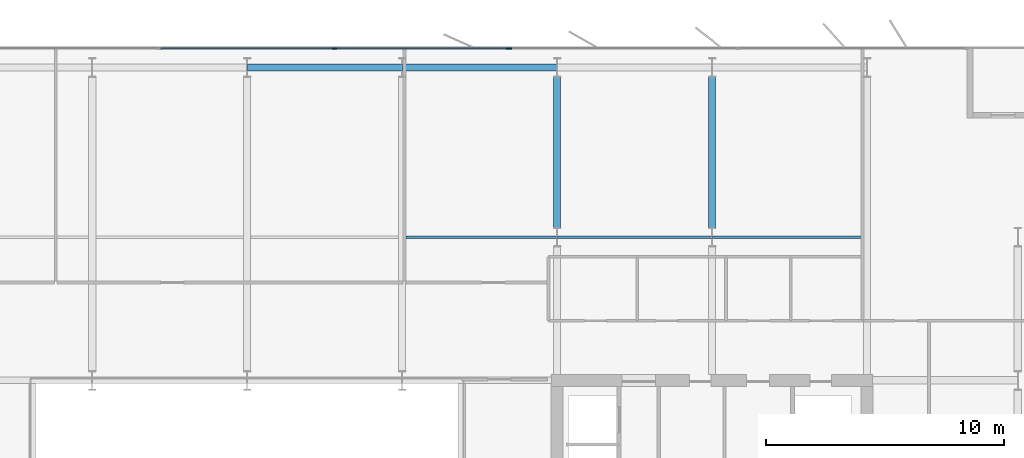
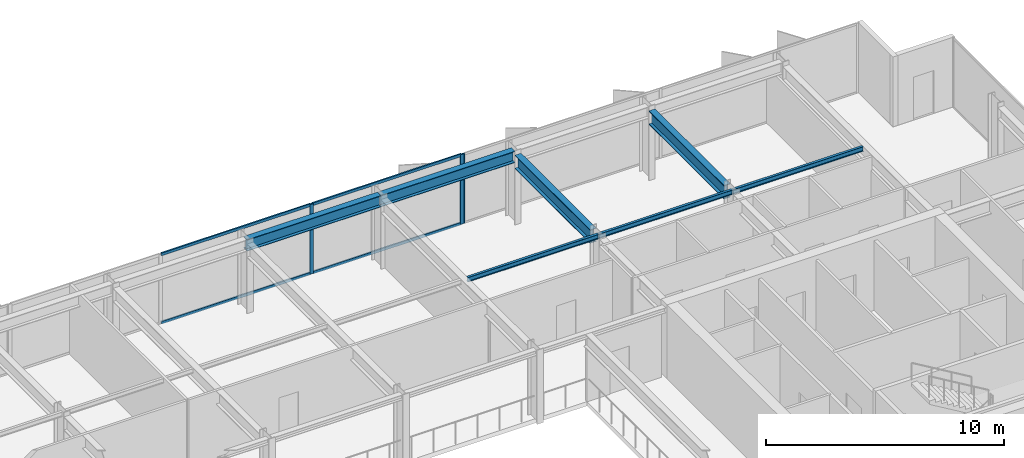
# One storey, part 12 of 23: 7 beams, 7 members, 2 elements without a shape of their own.
"""IFC4 building model written with IfcOpenShell, lengths in metres."""

import ifcopenshell
import ifcopenshell.guid

model = None  # the IFC model being written
_history = None  # IfcOwnerHistory: only IFC2X3 demands one
_inside = {}  # id of a spatial element -> (the spatial element, [elements in it])
_under = {}  # id of a project, library or spatial element -> (it, [spatial elements below it])
_declared = {}  # id of a project -> (the project, [libraries it declares])
_typed = {}  # id of a type object -> (the type object, [elements of that type])
_made_of = {}  # id of a material, layer set ... -> (it, [elements and type objects made of it])


def new_model(schema):
    """Start an empty IFC model of exactly this schema.

    Asked for "IFC4X3", IfcOpenShell would pick the latest addendum, in which some entities
    have other attributes; the version numbers below select the first issue.
    IFC2X3 requires an IfcOwnerHistory on every rooted entity: one is made here for all.
    """
    global model, _history
    if schema == "IFC4X3":
        model = ifcopenshell.file(schema_version=(4, 3, 0, 0))
    else:
        model = ifcopenshell.file(schema=schema)
    _inside.clear()
    _under.clear()
    _declared.clear()
    _typed.clear()
    _made_of.clear()
    _history = None
    if model.schema == "IFC2X3":
        org = make("IfcOrganization", Name="unknown")
        user = make(
            "IfcPersonAndOrganization",
            ThePerson=make("IfcPerson", FamilyName="unknown"),
            TheOrganization=org,
        )
        app = make(
            "IfcApplication",
            ApplicationDeveloper=org,
            Version="unknown",
            ApplicationFullName="unknown",
            ApplicationIdentifier="unknown",
        )
        _history = make(
            "IfcOwnerHistory",
            OwningUser=user,
            OwningApplication=app,
            ChangeAction="ADDED",
            CreationDate=0,
        )
    return model


def make(cls, **values):
    """One entity of the class cls with the attributes given. An attribute that is None is left unset."""
    return model.create_entity(
        cls, **{name: value for name, value in values.items() if value is not None}
    )


def rooted(cls, **values):
    """An entity with a GlobalId (a new one), such as an element, a storey or a relation."""
    return make(cls, GlobalId=ifcopenshell.guid.new(), OwnerHistory=_history, **values)


def si_unit(unit_type, name, prefix=None):
    """IfcSIUnit, for example si_unit("LENGTHUNIT", "METRE", prefix="MILLI")."""
    return make("IfcSIUnit", UnitType=unit_type, Prefix=prefix, Name=name)


def assignment(units):
    """IfcUnitAssignment: the units of a project."""
    return None if units is None else make("IfcUnitAssignment", Units=units)


def point(xyz):
    """IfcCartesianPoint."""
    return None if xyz is None else make("IfcCartesianPoint", Coordinates=xyz)


def direction(xyz):
    """IfcDirection."""
    return None if xyz is None else make("IfcDirection", DirectionRatios=xyz)


def frame(location, z_axis=None, x_axis=None):
    """IfcAxis2Placement3D, a coordinate frame: its origin and axes. An axis left out is left unset."""
    return make(
        "IfcAxis2Placement3D",
        Location=point(location),
        Axis=direction(z_axis),
        RefDirection=direction(x_axis),
    )


def frame_2d(location, x_axis=None):
    """IfcAxis2Placement2D, a coordinate frame in the plane: its origin and x axis."""
    return make(
        "IfcAxis2Placement2D", Location=point(location), RefDirection=direction(x_axis)
    )


def origin():
    """The frame at (0, 0, 0) with its axes left unset."""
    return frame((0.0, 0.0, 0.0))


def origin_2d():
    """The frame at (0, 0) in the plane with its x axis left unset."""
    return frame_2d((0.0, 0.0))


def place(relative_to, where):
    """IfcLocalPlacement: puts the frame where relative to a parent placement (None: the world)."""
    return make(
        "IfcLocalPlacement", PlacementRelTo=relative_to, RelativePlacement=where
    )


def context(
    kind, dimensions, precision=None, world=None, true_north=None, identifier=None
):
    """IfcGeometricRepresentationContext, for example the 3D "Model" context."""
    return make(
        "IfcGeometricRepresentationContext",
        ContextIdentifier=identifier,
        ContextType=kind,
        CoordinateSpaceDimension=dimensions,
        Precision=precision,
        WorldCoordinateSystem=world,
        TrueNorth=true_north,
    )


def subcontext(parent, identifier, kind, view, scale=None):
    """IfcGeometricRepresentationSubContext, for example "Body" below "Model"."""
    return make(
        "IfcGeometricRepresentationSubContext",
        ContextIdentifier=identifier,
        ContextType=kind,
        ParentContext=parent,
        TargetScale=scale,
        TargetView=view,
    )


def project(units=None, contexts=None):
    """IfcProject with its units and contexts."""
    return rooted(
        "IfcProject",
        Name="project",
        RepresentationContexts=contexts,
        UnitsInContext=assignment(units),
    )


def spatial(cls, under=None, at=None, **own):
    """A site, building, storey or space (cls), placed at a placement, below another one or the project."""
    s = rooted(cls, ObjectPlacement=at, **own)
    if under is not None:
        _under.setdefault(under.id(), (under, []))[1].append(s)
    return s


def profile(cls, at=None, kind="AREA", **sizes):
    """A parametric profile (cls). Its sizes go by their IFC names, for example OverallWidth=200.0."""
    return make(cls, ProfileType=kind, Position=at, **sizes)


def rectangle(**sizes):
    """IfcRectangleProfileDef."""
    return profile("IfcRectangleProfileDef", **sizes)


def i_section(**sizes):
    """IfcIShapeProfileDef."""
    return profile("IfcIShapeProfileDef", **sizes)


def extrude(swept, where, along, depth):
    """IfcExtrudedAreaSolid: the profile swept, set in the frame where, extruded along a direction by depth."""
    return make(
        "IfcExtrudedAreaSolid",
        SweptArea=swept,
        Position=where,
        ExtrudedDirection=direction(along),
        Depth=depth,
    )


def shape(context_of_items, identifier, shape_type, items):
    """IfcShapeRepresentation: the items that make up one representation, for example the "Body"."""
    return make(
        "IfcShapeRepresentation",
        ContextOfItems=context_of_items,
        RepresentationIdentifier=identifier,
        RepresentationType=shape_type,
        Items=items,
    )


def material(Name=None, Category=None):
    """IfcMaterial."""
    return make("IfcMaterial", Name=Name, Category=Category)


def layer(
    of_material, thickness, ventilated=None, Name=None, Category=None, Priority=None
):
    """IfcMaterialLayer: one layer of a wall or slab, of a material (None: an air gap)."""
    return make(
        "IfcMaterialLayer",
        Material=of_material,
        LayerThickness=thickness,
        IsVentilated=ventilated,
        Name=Name,
        Category=Category,
        Priority=Priority,
    )


def layer_set(layers, Name=None):
    """IfcMaterialLayerSet."""
    return make("IfcMaterialLayerSet", MaterialLayers=layers, LayerSetName=Name)


def material_profile(
    of_material, cross_section, Name=None, Category=None, Priority=None
):
    """IfcMaterialProfile: a cross section and its material."""
    return make(
        "IfcMaterialProfile",
        Name=Name,
        Material=of_material,
        Profile=cross_section,
        Priority=Priority,
        Category=Category,
    )


def profile_set(profiles, Name=None, composite=None):
    """IfcMaterialProfileSet."""
    return make(
        "IfcMaterialProfileSet",
        Name=Name,
        MaterialProfiles=profiles,
        CompositeProfile=composite,
    )


def made_of(thing, what):
    """Note that an element or type object is made of a material, layer set ...; save() writes the relation."""
    if what is not None:
        _made_of.setdefault(what.id(), (what, []))[1].append(thing)
    return thing


def type_object(cls, material=None, **own):
    """A type object (cls), such as IfcWallType, which elements share."""
    return made_of(rooted(cls, **own), material)


def element(
    cls,
    number,
    at=None,
    inside=None,
    cuts=None,
    type_object=None,
    material=None,
    context=None,
    identifier="Body",
    shape_type=None,
    held_by="IfcProductDefinitionShape",
    body=None,
    shapes=None,
    **own,
):
    """One element of the class cls, such as IfcWall. Its Tag is "e" and its number.

    at: its placement. inside: the storey or other place that contains it. cuts: it is an
    opening in that element (IfcRelVoidsElement). A single representation is given by context,
    identifier, shape_type and body (its items); several are given by shapes. held_by: the class
    of the entity that holds the representations. save() writes the other relations.
    """
    e = rooted(cls, Tag="e%d" % number, ObjectPlacement=at, **own)
    if body is not None:
        shapes = [shape(context, identifier, shape_type, body)]
    if shapes is not None:
        e.Representation = make(held_by, Representations=shapes)
    if inside is not None:
        _inside.setdefault(inside.id(), (inside, []))[1].append(e)
    if cuts is not None:
        rooted(
            "IfcRelVoidsElement", RelatingBuildingElement=cuts, RelatedOpeningElement=e
        )
    if type_object is not None:
        _typed.setdefault(type_object.id(), (type_object, []))[1].append(e)
    return made_of(e, material)


def aggregate(whole, parts):
    """IfcRelAggregates: a whole, such as a stair, and the parts it consists of."""
    return rooted("IfcRelAggregates", RelatingObject=whole, RelatedObjects=parts)


def save(model, path):
    """Write the relations noted so far, then the file.

    IfcRelAggregates (storeys below a building ...), IfcRelContainedInSpatialStructure (elements
    in a storey), IfcRelDefinesByType, IfcRelAssociatesMaterial and IfcRelDeclares: one each for
    every whole, place, type object, material and project.
    """
    for whole, parts in _under.values():
        aggregate(whole, parts)
    for where, things in _inside.values():
        rooted(
            "IfcRelContainedInSpatialStructure",
            RelatedElements=things,
            RelatingStructure=where,
        )
    for kind, things in _typed.values():
        rooted("IfcRelDefinesByType", RelatedObjects=things, RelatingType=kind)
    for what, things in _made_of.values():
        rooted("IfcRelAssociatesMaterial", RelatedObjects=things, RelatingMaterial=what)
    for by, libraries in _declared.values():
        rooted("IfcRelDeclares", RelatingContext=by, RelatedDefinitions=libraries)
    model.write(path)


model = new_model("IFC4")

# Units and contexts
model_context = context("Model", 3, precision=1e-05, world=origin(), true_north=direction((0.0, 1.0)))
body_context = subcontext(model_context, "Body", "Model", "MODEL_VIEW")
ifc_project = project(units=[si_unit("LENGTHUNIT", "METRE"), si_unit("AREAUNIT", "SQUARE_METRE"), si_unit("VOLUMEUNIT", "CUBIC_METRE"), si_unit("PLANEANGLEUNIT", "RADIAN"), si_unit("MASSUNIT", "GRAM", prefix="KILO")], contexts=[model_context])

# Site, building, storey
site_placement = place(None, origin())
site = spatial("IfcSite", under=ifc_project, at=site_placement, CompositionType="ELEMENT")
building_placement = place(site_placement, origin())
building = spatial("IfcBuilding", under=site, at=building_placement, Name="Putna Gate Headquarters", CompositionType="ELEMENT")
storey_placement = place(building_placement, frame((0.0, 0.0, 206.199951171875)))
storey = spatial("IfcBuildingStorey", under=building, at=storey_placement, Name="L51", CompositionType="ELEMENT", Elevation=206.199951171875)

# Beams
ifc_material_1 = material(Name="Steel S355J2", Category="steel")
ifc_material_profile_1 = material_profile(ifc_material_1, i_section(OverallWidth=0.300048828125, OverallDepth=0.699951171875, WebThickness=0.01708984375, FlangeThickness=0.031982421875, at=origin_2d()), Name="Steel S355J2")
ifc_profile_set_1 = profile_set([ifc_material_profile_1], Name="Steel S355J2")
beam_type_1 = type_object("IfcBeamType", Name="BM-GIRD-B-HEB700", PredefinedType="USERDEFINED", material=ifc_profile_set_1)
for number, where, z_axis, x_axis, name in (
    (1, (52.0, 39.39501953125, 3.22998046875), (0.0, 1.0, 0.0), (-1.0, 0.0, 0.0), "L51 North Primary Girder X52-2"),
    (2, (58.5, 39.39501953125, 3.22998046875), (0.0, 1.0, 0.0), (-1.0, 0.0, 0.0), "L51 North Primary Girder X58-2"),
):
    element("IfcBeam", number, at=place(storey_placement, frame(where, z_axis=z_axis, x_axis=x_axis)), inside=storey, type_object=beam_type_1, Name=name, ObjectType="GIRDER", PredefinedType="USERDEFINED", context=body_context, shape_type="SweptSolid", body=[
        extrude(i_section(OverallWidth=0.300048828125, OverallDepth=0.699951171875, WebThickness=0.01708984375, FlangeThickness=0.031982421875, at=origin_2d()), origin(), (0.0, 0.0, 1.0), 6.330078125),
    ])
ifc_material_profile_2 = material_profile(ifc_material_1, i_section(OverallWidth=0.1201171875, OverallDepth=0.239990234375, WebThickness=0.006103515625, FlangeThickness=0.009765625, at=origin_2d()), Name="Steel S355J2")
ifc_profile_set_2 = profile_set([ifc_material_profile_2], Name="Steel S355J2")
beam_type_2 = type_object("IfcBeamType", Name="BM-SEC-Z4-IPE240", PredefinedType="JOIST", material=ifc_profile_set_2)
beam_1_placement = place(storey_placement, frame((45.654052734375, 39.0, 3.4599609375), z_axis=(1.0, 0.0, 0.0), x_axis=(0.0, 1.0, 0.0)))
element("IfcBeam", 3, at=beam_1_placement, inside=storey, type_object=beam_type_2, Name="L51 North Secondary Beam 6", PredefinedType="JOIST", context=body_context, shape_type="SweptSolid", body=[
    extrude(i_section(OverallWidth=0.1201171875, OverallDepth=0.239990234375, WebThickness=0.006103515625, FlangeThickness=0.009765625, at=origin_2d()), origin(), (0.0, 0.0, 1.0), 6.33984375),
])
beam_2_placement = place(storey_placement, frame((52.006103515625, 39.0, 3.4599609375), z_axis=(1.0, 0.0, 0.0), x_axis=(0.0, 1.0, 0.0)))
element("IfcBeam", 4, at=beam_2_placement, inside=storey, type_object=beam_type_2, Name="L51 North Secondary Beam 7", PredefinedType="JOIST", context=body_context, shape_type="SweptSolid", body=[
    extrude(i_section(OverallWidth=0.1201171875, OverallDepth=0.239990234375, WebThickness=0.006103515625, FlangeThickness=0.009765625, at=origin_2d()), origin(), (0.0, 0.0, 1.0), 6.48779296875),
])
beam_3_placement = place(storey_placement, frame((58.506103515625, 39.0, 3.4599609375), z_axis=(1.0, 0.0, 0.0), x_axis=(0.0, 1.0, 0.0)))
element("IfcBeam", 5, at=beam_3_placement, inside=storey, type_object=beam_type_2, Name="L51 North Secondary Beam 8", PredefinedType="JOIST", context=body_context, shape_type="SweptSolid", body=[
    extrude(i_section(OverallWidth=0.1201171875, OverallDepth=0.239990234375, WebThickness=0.006103515625, FlangeThickness=0.009765625, at=origin_2d()), origin(), (0.0, 0.0, 1.0), 6.33984375),
])
ifc_material_profile_3 = material_profile(ifc_material_1, i_section(OverallWidth=0.300048828125, OverallDepth=0.590087890625, WebThickness=0.012939453125, FlangeThickness=0.02490234375, at=origin_2d()), Name="Steel S355J2")
ifc_profile_set_3 = profile_set([ifc_material_profile_3], Name="Steel S355J2")
beam_type_3 = type_object("IfcBeamType", Name="BM-SPAN-Z4-HEA600", PredefinedType="SPANDREL", material=ifc_profile_set_3)
for number, where, z_axis, x_axis, name in (
    (6, (39.006103515625, 46.1201171875, 3.28515625), (1.0, 0.0, 0.0), (0.0, 1.0, 0.0), "L51 N Perimeter Spandrel 5"),
    (7, (45.506103515625, 46.1201171875, 3.28515625), (1.0, 0.0, 0.0), (0.0, 1.0, 0.0), "L51 N Perimeter Spandrel 6"),
):
    element("IfcBeam", number, at=place(storey_placement, frame(where, z_axis=z_axis, x_axis=x_axis)), inside=storey, type_object=beam_type_3, Name=name, PredefinedType="SPANDREL", context=body_context, shape_type="SweptSolid", body=[
        extrude(i_section(OverallWidth=0.300048828125, OverallDepth=0.590087890625, WebThickness=0.012939453125, FlangeThickness=0.02490234375, at=origin_2d()), origin(), (0.0, 0.0, 1.0), 6.48779296875),
    ])

# Curtain wall, member
ifc_material_2 = material(Name="Anodised bronze aluminium curtain wall", Category="aluminium")
ifc_layer_1 = layer(ifc_material_2, 0.139892578125)
ifc_layer_set_1 = layer_set([ifc_layer_1], Name="Anodised bronze aluminium curtain wall")
curtain_wall_type_1 = type_object("IfcCurtainWallType", Name="CW-SYS-Z4", PredefinedType="USERDEFINED", material=ifc_layer_set_1)
curtain_wall_1_placement = place(storey_placement, origin())
curtain_wall_1 = element("IfcCurtainWall", 8, at=curtain_wall_1_placement, inside=storey, type_object=curtain_wall_type_1, Name="L51 North East Curtain Wall", ObjectType="STICK CURTAIN WALL", PredefinedType="USERDEFINED")
ifc_material_3 = material(Name="Anodised bronze aluminium EN AW-6060", Category="aluminium")
ifc_material_profile_4 = material_profile(ifc_material_3, rectangle(XDim=0.06005859375, YDim=0.139892578125, at=origin_2d()), Name="Anodised bronze aluminium EN AW-6060")
ifc_profile_set_4 = profile_set([ifc_material_profile_4], Name="Anodised bronze aluminium EN AW-6060")
member_type_1 = type_object("IfcMemberType", Name="MULL-CWM-4", PredefinedType="MULLION", material=ifc_profile_set_4)
member_1_placement = place(storey_placement, frame((50.030029296875, 46.919921875, 0.0), z_axis=(0.0, 0.0, 1.0), x_axis=(0.0, 1.0, 0.0)))
member_1 = element("IfcMember", 9, at=member_1_placement, type_object=member_type_1, Name="CWS-4 mullion 1", PredefinedType="MULLION", context=body_context, shape_type="SweptSolid", body=[
    extrude(rectangle(XDim=0.06005859375, YDim=0.139892578125, at=origin_2d()), origin(), (0.0, 0.0, 1.0), 3.580078125),
])
aggregate(curtain_wall_1, [member_1])

# Curtain wall, members
ifc_layer_2 = layer(ifc_material_2, 0.179931640625)
ifc_layer_set_2 = layer_set([ifc_layer_2], Name="Anodised bronze aluminium curtain wall")
curtain_wall_type_2 = type_object("IfcCurtainWallType", Name="CW-SYS-ATR", PredefinedType="USERDEFINED", material=ifc_layer_set_2)
curtain_wall_2_placement = place(storey_placement, origin())
curtain_wall_2 = element("IfcCurtainWall", 10, at=curtain_wall_2_placement, inside=storey, type_object=curtain_wall_type_2, Name="L51 North Atrium Clear Glazing", ObjectType="ATRIUM GLAZING", PredefinedType="USERDEFINED")
ifc_material_profile_5 = material_profile(ifc_material_3, rectangle(XDim=0.070068359375, YDim=0.179931640625, at=origin_2d()), Name="Anodised bronze aluminium EN AW-6060")
ifc_profile_set_5 = profile_set([ifc_material_profile_5], Name="Anodised bronze aluminium EN AW-6060")
member_type_2 = type_object("IfcMemberType", Name="MULL-CWM-AT", PredefinedType="MULLION", material=ifc_profile_set_5)
member_2_placement = place(storey_placement, frame((42.666748046875, 46.919921875, 0.0), z_axis=(0.0, 0.0, 1.0), x_axis=(0.0, 1.0, 0.0)))
member_2 = element("IfcMember", 11, at=member_2_placement, type_object=member_type_2, Name="CWS-AT mullion 3", PredefinedType="MULLION", context=body_context, shape_type="SweptSolid", body=[
    extrude(rectangle(XDim=0.070068359375, YDim=0.179931640625, at=origin_2d()), origin(), (0.0, 0.0, 1.0), 3.580078125),
])
member_3_placement = place(storey_placement, frame((49.965087890625, 46.919921875, 0.0), z_axis=(0.0, 0.0, 1.0), x_axis=(0.0, 1.0, 0.0)))
member_3 = element("IfcMember", 12, at=member_3_placement, type_object=member_type_2, Name="CWS-AT mullion 4", PredefinedType="MULLION", context=body_context, shape_type="SweptSolid", body=[
    extrude(rectangle(XDim=0.070068359375, YDim=0.179931640625, at=origin_2d()), origin(), (0.0, 0.0, 1.0), 3.580078125),
])
ifc_material_profile_6 = material_profile(ifc_material_3, rectangle(XDim=0.070068359375, YDim=0.139892578125, at=origin_2d()), Name="Anodised bronze aluminium EN AW-6060")
ifc_profile_set_6 = profile_set([ifc_material_profile_6], Name="Anodised bronze aluminium EN AW-6060")
member_type_3 = type_object("IfcMemberType", Name="TRAN-CWT-AT", PredefinedType="USERDEFINED", material=ifc_profile_set_6)
member_4_placement = place(storey_placement, frame((35.368408203125, 46.919921875, 0.03515625), z_axis=(1.0, 0.0, 0.0), x_axis=(0.0, 1.0, 0.0)))
member_4 = element("IfcMember", 13, at=member_4_placement, type_object=member_type_3, Name="CWS-AT transom 2.1", ObjectType="TRANSOM", PredefinedType="USERDEFINED", context=body_context, shape_type="SweptSolid", body=[
    extrude(rectangle(XDim=0.070068359375, YDim=0.139892578125, at=origin_2d()), origin(), (0.0, 0.0, 1.0), 7.26318359375),
])
member_5_placement = place(storey_placement, frame((35.368408203125, 46.919921875, 3.545166015625), z_axis=(1.0, 0.0, 0.0), x_axis=(0.0, 1.0, 0.0)))
member_5 = element("IfcMember", 14, at=member_5_placement, type_object=member_type_3, Name="CWS-AT transom 2.2", ObjectType="TRANSOM", PredefinedType="USERDEFINED", context=body_context, shape_type="SweptSolid", body=[
    extrude(rectangle(XDim=0.070068359375, YDim=0.139892578125, at=origin_2d()), origin(), (0.0, 0.0, 1.0), 7.26318359375),
])
member_6_placement = place(storey_placement, frame((42.70166015625, 46.919921875, 0.03515625), z_axis=(1.0, 0.0, 0.0), x_axis=(0.0, 1.0, 0.0)))
member_6 = element("IfcMember", 15, at=member_6_placement, type_object=member_type_3, Name="CWS-AT transom 3.1", ObjectType="TRANSOM", PredefinedType="USERDEFINED", context=body_context, shape_type="SweptSolid", body=[
    extrude(rectangle(XDim=0.070068359375, YDim=0.139892578125, at=origin_2d()), origin(), (0.0, 0.0, 1.0), 7.228271484375),
])
member_7_placement = place(storey_placement, frame((42.70166015625, 46.919921875, 3.545166015625), z_axis=(1.0, 0.0, 0.0), x_axis=(0.0, 1.0, 0.0)))
member_7 = element("IfcMember", 16, at=member_7_placement, type_object=member_type_3, Name="CWS-AT transom 3.2", ObjectType="TRANSOM", PredefinedType="USERDEFINED", context=body_context, shape_type="SweptSolid", body=[
    extrude(rectangle(XDim=0.070068359375, YDim=0.139892578125, at=origin_2d()), origin(), (0.0, 0.0, 1.0), 7.228271484375),
])
aggregate(curtain_wall_2, [member_2, member_3, member_4, member_5, member_6, member_7])

save(model, "model.ifc")
